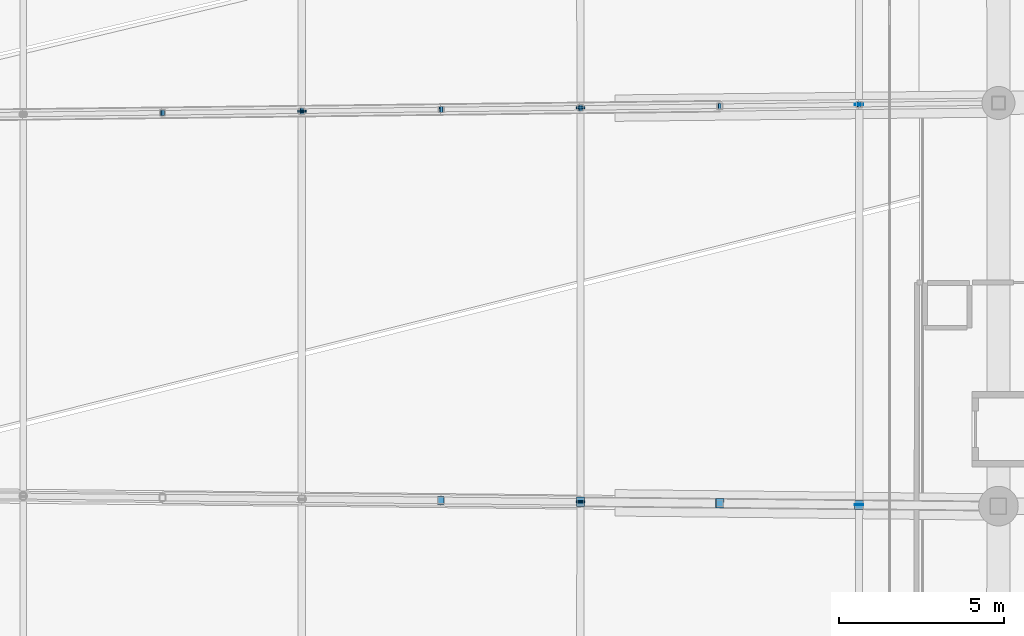
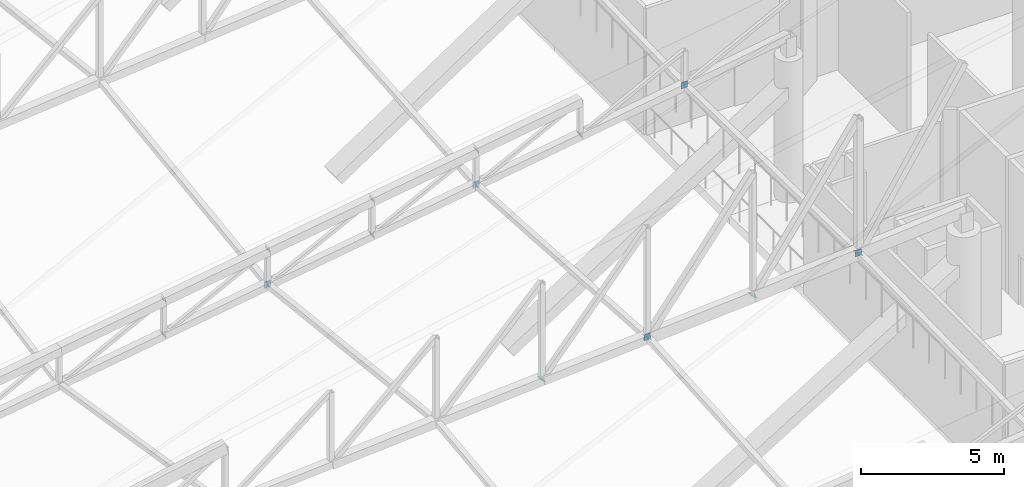
# One storey, part 306 of 344: 24 discrete accessories.
"""IFC4 building model written with IfcOpenShell, lengths in metres."""

from ifc_helpers import new_model, si_unit, direction, frame, origin, origin_2d, place, context, subcontext, project, spatial, rectangle, extrude, material, material_profile, profile_set, type_object, element, save


model = new_model("IFC4")

# Units and contexts
model_context = context("Model", 3, precision=1e-05, world=origin(), true_north=direction((0.0, 1.0)))
body_context = subcontext(model_context, "Body", "Model", "MODEL_VIEW")
ifc_project = project(units=[si_unit("LENGTHUNIT", "METRE"), si_unit("AREAUNIT", "SQUARE_METRE"), si_unit("VOLUMEUNIT", "CUBIC_METRE"), si_unit("PLANEANGLEUNIT", "RADIAN"), si_unit("MASSUNIT", "GRAM", prefix="KILO")], contexts=[model_context])

# Site, building, storey
site_placement = place(None, origin())
site = spatial("IfcSite", under=ifc_project, at=site_placement, CompositionType="ELEMENT")
building_placement = place(site_placement, origin())
building = spatial("IfcBuilding", under=site, at=building_placement, Name="Meseta Stadium", CompositionType="ELEMENT")
storey_placement = place(building_placement, frame((0.0, 0.0, 24.0)))
storey = spatial("IfcBuildingStorey", under=building, at=storey_placement, Name="L04", CompositionType="ELEMENT", Elevation=24.0)

# Discrete accessories
ifc_material_1 = material(Name="Steel S355", Category="steel")
ifc_material_profile_1 = material_profile(ifc_material_1, rectangle(XDim=0.179931640625, YDim=0.179931640625, at=origin_2d()), Name="PL 180x180")
ifc_profile_set_1 = profile_set([ifc_material_profile_1], Name="Steel S355")
discrete_accessory_type_1 = type_object("IfcDiscreteAccessoryType", Name="End plate 180x180x20", PredefinedType="ANCHORPLATE", material=ifc_profile_set_1)
discrete_accessory_1_placement = place(storey_placement, frame((59.66552734375, 5.839599609375, 4.600341796875), z_axis=(0.896803189872, 0.012284975204, 0.442259107334), x_axis=(-0.013697345027, 0.999906186969, 0.0)))
element("IfcDiscreteAccessory", 1, at=discrete_accessory_1_placement, inside=storey, type_object=discrete_accessory_type_1, Name="End plate of ROOF TRUSS RT-05 diagonal", PredefinedType="ANCHORPLATE", context=body_context, shape_type="SweptSolid", body=[
    extrude(rectangle(XDim=0.179931640625, YDim=0.179931640625, at=origin_2d()), origin(), (0.0, 0.0, 1.0), 0.019775390625),
])
for number, where, z_axis, x_axis, name in (
    (2, (59.6474609375, 5.83935546875, 3.114013671875), (0.899168702485, 0.012150928412, 0.437433422831), (-0.013512279797, 0.99990870498, 0.0), "End plate of ROOF TRUSS RT-05 diagonal"),
    (3, (63.887451171875, 5.88916015625, 5.213134765625), (0.891903506248, 0.01221785625, 0.452060681249), (-0.013697345027, 0.999906186969, 0.0), "End plate of ROOF TRUSS RT-05 diagonal"),
):
    element("IfcDiscreteAccessory", number, at=place(storey_placement, frame(where, z_axis=z_axis, x_axis=x_axis)), inside=storey, type_object=discrete_accessory_type_1, Name=name, PredefinedType="ANCHORPLATE", context=body_context, shape_type="SweptSolid", body=[
        extrude(rectangle(XDim=0.179931640625, YDim=0.179931640625, at=origin_2d()), origin(), (0.0, 0.0, 1.0), 0.02001953125),
    ])
discrete_accessory_2_placement = place(storey_placement, frame((63.869384765625, 5.888916015625, 3.726806640625), z_axis=(0.894361863812, 0.012085971133, 0.447180931906), x_axis=(-0.013512279797, 0.99990870498, 0.0)))
element("IfcDiscreteAccessory", 4, at=discrete_accessory_2_placement, inside=storey, type_object=discrete_accessory_type_1, Name="End plate of ROOF TRUSS RT-05 diagonal", PredefinedType="ANCHORPLATE", context=body_context, shape_type="SweptSolid", body=[
    extrude(rectangle(XDim=0.179931640625, YDim=0.179931640625, at=origin_2d()), origin(), (0.0, 0.0, 1.0), 0.020263671875),
])
for number, where, z_axis, x_axis, name in (
    (5, (68.109375, 5.938720703125, 5.825927734375), (0.891903506248, 0.01221785625, 0.452060681249), (-0.013697345027, 0.999906186969, 0.0), "End plate of ROOF TRUSS RT-05 diagonal"),
    (6, (68.09130859375, 5.9384765625, 4.33984375), (0.899168702485, 0.012150928412, 0.437433422831), (-0.013512279797, 0.99990870498, 0.0), "End plate of ROOF TRUSS RT-05 diagonal"),
):
    element("IfcDiscreteAccessory", number, at=place(storey_placement, frame(where, z_axis=z_axis, x_axis=x_axis)), inside=storey, type_object=discrete_accessory_type_1, Name=name, PredefinedType="ANCHORPLATE", context=body_context, shape_type="SweptSolid", body=[
        extrude(rectangle(XDim=0.179931640625, YDim=0.179931640625, at=origin_2d()), origin(), (0.0, 0.0, 1.0), 0.02001953125),
    ])
discrete_accessory_3_placement = place(storey_placement, frame((72.331298828125, 5.98828125, 6.43896484375), z_axis=(0.896803189872, 0.012284975204, 0.442259107334), x_axis=(-0.013697345027, 0.999906186969, 0.0)))
element("IfcDiscreteAccessory", 7, at=discrete_accessory_3_placement, inside=storey, type_object=discrete_accessory_type_1, Name="End plate of ROOF TRUSS RT-05 diagonal", PredefinedType="ANCHORPLATE", context=body_context, shape_type="SweptSolid", body=[
    extrude(rectangle(XDim=0.179931640625, YDim=0.179931640625, at=origin_2d()), origin(), (0.0, 0.0, 1.0), 0.019775390625),
])
for number, where, z_axis, x_axis, name in (
    (8, (72.313232421875, 5.98828125, 4.95263671875), (0.899235088746, 0.0, 0.437465718849), (0.0, 1.0, 0.0), "End plate of ROOF TRUSS RT-05 diagonal"),
    (9, (76.53515625, 6.037841796875, 5.5654296875), (0.899168702485, 0.012150928412, 0.437433422831), (-0.013512279797, 0.99990870498, 0.0), "End plate of ROOF TRUSS RT-05 diagonal"),
):
    element("IfcDiscreteAccessory", number, at=place(storey_placement, frame(where, z_axis=z_axis, x_axis=x_axis)), inside=storey, type_object=discrete_accessory_type_1, Name=name, PredefinedType="ANCHORPLATE", context=body_context, shape_type="SweptSolid", body=[
        extrude(rectangle(XDim=0.179931640625, YDim=0.179931640625, at=origin_2d()), origin(), (0.0, 0.0, 1.0), 0.02001953125),
    ])
discrete_accessory_4_placement = place(storey_placement, frame((80.757080078125, 6.08740234375, 6.17822265625), z_axis=(0.894361863812, 0.012085971133, 0.447180931906), x_axis=(-0.013512279797, 0.99990870498, 0.0)))
element("IfcDiscreteAccessory", 10, at=discrete_accessory_4_placement, inside=storey, type_object=discrete_accessory_type_1, Name="End plate of ROOF TRUSS RT-05 diagonal", PredefinedType="ANCHORPLATE", context=body_context, shape_type="SweptSolid", body=[
    extrude(rectangle(XDim=0.179931640625, YDim=0.179931640625, at=origin_2d()), origin(), (0.0, 0.0, 1.0), 0.020263671875),
])
ifc_material_2 = material(Name="Steel S355", Category="steel")
ifc_material_profile_2 = material_profile(ifc_material_2, rectangle(XDim=0.239990234375, YDim=0.239990234375, at=origin_2d()), Name="PL 240x240")
ifc_profile_set_2 = profile_set([ifc_material_profile_2], Name="Steel S355")
discrete_accessory_type_2 = type_object("IfcDiscreteAccessoryType", Name="End plate 240x240x20", PredefinedType="ANCHORPLATE", material=ifc_profile_set_2)
discrete_accessory_5_placement = place(storey_placement, frame((68.0966796875, -5.90771484375, 5.370849609375), z_axis=(0.643761629109, 0.0, 0.765226087432), x_axis=(0.0, 1.0, 0.0)))
element("IfcDiscreteAccessory", 11, at=discrete_accessory_5_placement, inside=storey, type_object=discrete_accessory_type_2, Name="End plate of ROOF TRUSS RT-04 diagonal", PredefinedType="ANCHORPLATE", context=body_context, shape_type="SweptSolid", body=[
    extrude(rectangle(XDim=0.239990234375, YDim=0.239990234375, at=origin_2d()), origin(), (0.0, 0.0, 1.0), 0.02001953125),
])
ifc_material_3 = material(Name="Steel S355", Category="steel")
ifc_material_profile_3 = material_profile(ifc_material_3, rectangle(XDim=0.260009765625, YDim=0.260009765625, at=origin_2d()), Name="PL 260x260")
ifc_profile_set_3 = profile_set([ifc_material_profile_3], Name="Steel S355")
discrete_accessory_type_3 = type_object("IfcDiscreteAccessoryType", Name="End plate 260x260x20", PredefinedType="ANCHORPLATE", material=ifc_profile_set_3)
for number, where, z_axis, x_axis, name in (
    (12, (72.33154296875, -5.951171875, 5.722412109375), (0.0, 0.997333723592, 0.072975638312), (-1.0, 0.0, 0.0), "End plate of ROOF TRUSS STRUT RT-03/04"),
    (13, (80.775634765625, -6.0380859375, 6.395263671875), (0.0, 0.999925647793, 0.012194215217), (-1.0, 0.0, 0.0), "End plate of ROOF TRUSS STRUT RT-03/04"),
    (14, (63.887451171875, 5.88916015625, 3.73583984375), (0.0, 0.994030677348, -0.109100928002), (-1.0, 0.0, 0.0), "End plate of ROOF TRUSS STRUT RT-04/05"),
    (15, (72.33154296875, -5.97119140625, 5.723876953125), (0.0, 0.997333723592, -0.072975638312), (-1.0, 0.0, 0.0), "End plate of ROOF TRUSS STRUT RT-04/05"),
    (16, (72.331298828125, 5.98828125, 4.96142578125), (0.0, 0.998146155389, -0.060862570451), (-1.0, 0.0, 0.0), "End plate of ROOF TRUSS STRUT RT-04/05"),
    (17, (80.775634765625, -6.05810546875, 6.3955078125), (0.0, 0.999925647793, -0.012194215217), (-1.0, 0.0, 0.0), "End plate of ROOF TRUSS STRUT RT-04/05"),
    (18, (80.775146484375, 6.087646484375, 6.187255859375), (0.0, 0.999702690643, -0.024382992455), (-1.0, 0.0, 0.0), "End plate of ROOF TRUSS STRUT RT-04/05"),
    (19, (63.887451171875, 5.869384765625, 3.733154296875), (0.0, 0.990904460181, 0.13456727237), (-1.0, 0.0, 0.0), "End plate of ROOF TRUSS STRUT RT-05/06"),
):
    element("IfcDiscreteAccessory", number, at=place(storey_placement, frame(where, z_axis=z_axis, x_axis=x_axis)), inside=storey, type_object=discrete_accessory_type_3, Name=name, PredefinedType="ANCHORPLATE", context=body_context, shape_type="SweptSolid", body=[
        extrude(rectangle(XDim=0.260009765625, YDim=0.260009765625, at=origin_2d()), origin(), (0.0, 0.0, 1.0), 0.02001953125),
    ])
discrete_accessory_6_placement = place(storey_placement, frame((72.331298828125, 5.968505859375, 4.959716796875), z_axis=(0.0, 0.996286600035, 0.086098841978), x_axis=(-1.0, 0.0, 0.0)))
element("IfcDiscreteAccessory", 20, at=discrete_accessory_6_placement, inside=storey, type_object=discrete_accessory_type_3, Name="End plate of ROOF TRUSS STRUT RT-05/06", PredefinedType="ANCHORPLATE", context=body_context, shape_type="SweptSolid", body=[
    extrude(rectangle(XDim=0.260009765625, YDim=0.260009765625, at=origin_2d()), origin(), (0.0, 0.0, 1.0), 0.019775390625),
])
discrete_accessory_7_placement = place(storey_placement, frame((80.775146484375, 6.067626953125, 6.1865234375), z_axis=(0.0, 0.999331426586, 0.036560905851), x_axis=(-1.0, 0.0, 0.0)))
element("IfcDiscreteAccessory", 21, at=discrete_accessory_7_placement, inside=storey, type_object=discrete_accessory_type_3, Name="End plate of ROOF TRUSS STRUT RT-05/06", PredefinedType="ANCHORPLATE", context=body_context, shape_type="SweptSolid", body=[
    extrude(rectangle(XDim=0.260009765625, YDim=0.260009765625, at=origin_2d()), origin(), (0.0, 0.0, 1.0), 0.02001953125),
])
ifc_material_4 = material(Name="Steel S355", Category="steel")
ifc_material_profile_4 = material_profile(ifc_material_4, rectangle(XDim=0.2900390625, YDim=0.2900390625, at=origin_2d()), Name="PL 290x290")
ifc_profile_set_4 = profile_set([ifc_material_profile_4], Name="Steel S355")
discrete_accessory_type_4 = type_object("IfcDiscreteAccessoryType", Name="End plate 290x290x20", PredefinedType="ANCHORPLATE", material=ifc_profile_set_4)
discrete_accessory_8_placement = place(storey_placement, frame((72.319580078125, -5.951171875, 5.70654296875), z_axis=(0.601963784982, 0.0, 0.798523388242), x_axis=(0.0, 1.0, 0.0)))
element("IfcDiscreteAccessory", 22, at=discrete_accessory_8_placement, inside=storey, type_object=discrete_accessory_type_4, Name="End plate of ROOF TRUSS RT-04 diagonal", PredefinedType="ANCHORPLATE", context=body_context, shape_type="SweptSolid", body=[
    extrude(rectangle(XDim=0.2900390625, YDim=0.2900390625, at=origin_2d()), origin(), (0.0, 0.0, 1.0), 0.019775390625),
])
for number, where, z_axis, x_axis, name in (
    (23, (76.542236328125, -5.994384765625, 6.04248046875), (0.574239243749, -0.01221785625, 0.818596368748), (0.021271781491, 0.999773730057, 0.0), "End plate of ROOF TRUSS RT-04 diagonal"),
    (24, (80.764892578125, -6.037841796875, 6.37841796875), (0.537625803814, -0.012218768269, 0.843095010527), (0.022721405353, 0.999741835545, 0.0), "End plate of ROOF TRUSS RT-04 diagonal"),
):
    element("IfcDiscreteAccessory", number, at=place(storey_placement, frame(where, z_axis=z_axis, x_axis=x_axis)), inside=storey, type_object=discrete_accessory_type_4, Name=name, PredefinedType="ANCHORPLATE", context=body_context, shape_type="SweptSolid", body=[
        extrude(rectangle(XDim=0.2900390625, YDim=0.2900390625, at=origin_2d()), origin(), (0.0, 0.0, 1.0), 0.02001953125),
    ])

save(model, "model.ifc")
